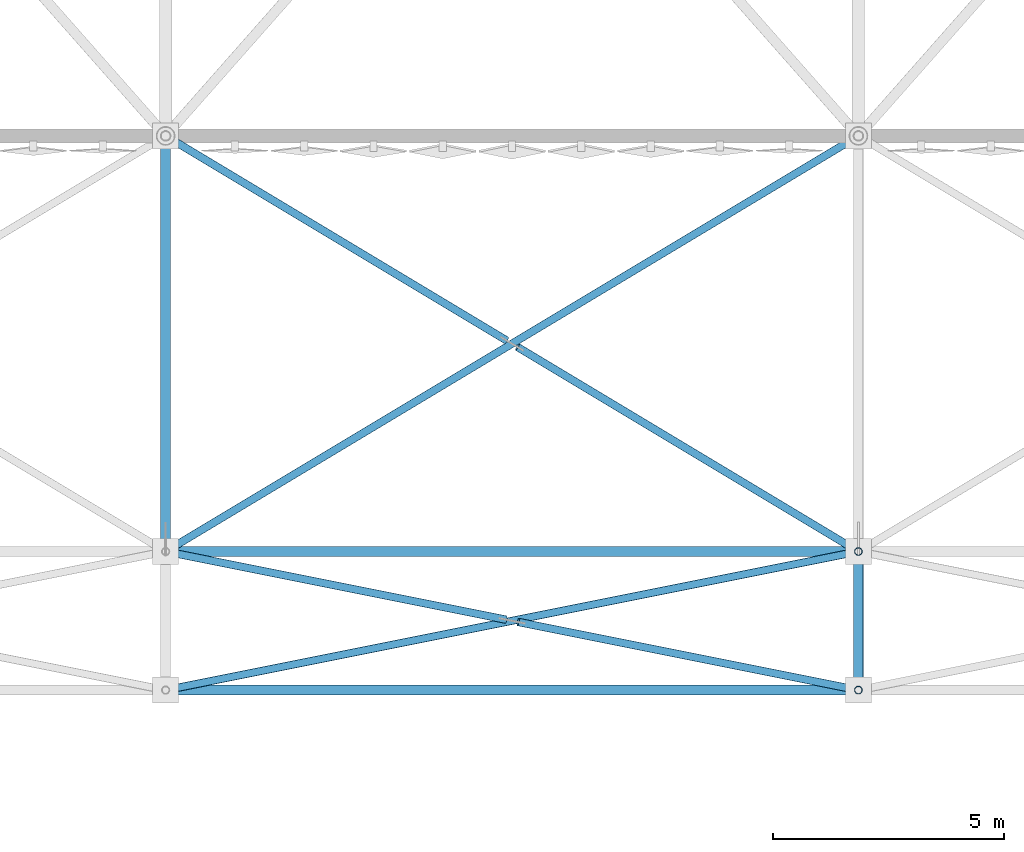
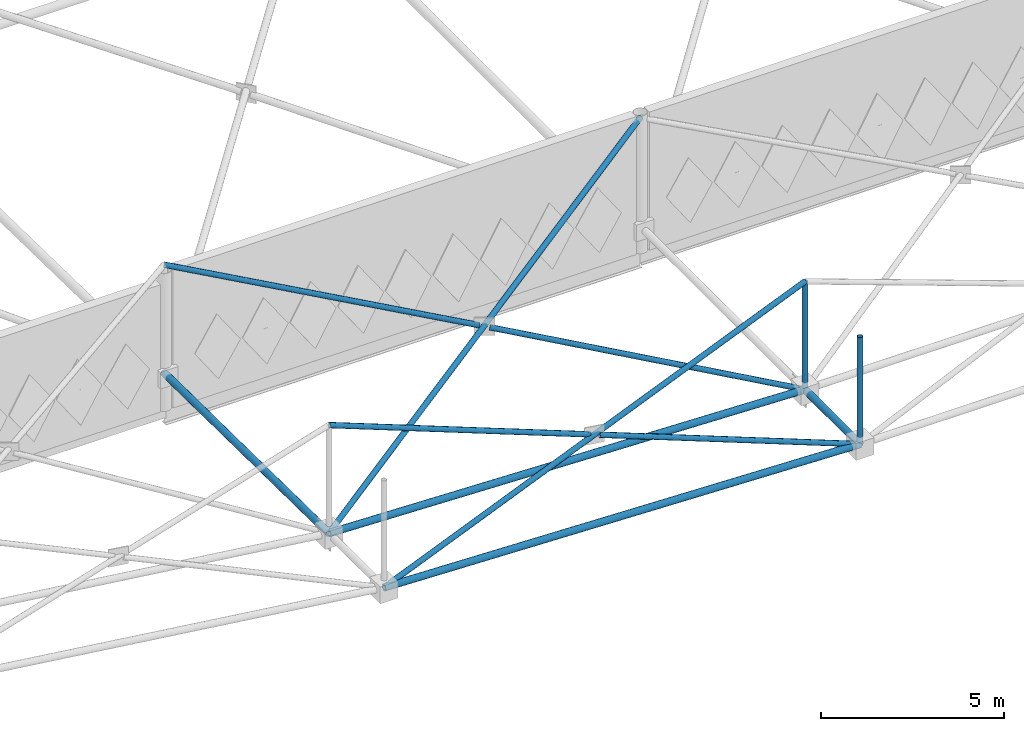
# One storey, part 26 of 224: 12 members.
"""IFC4 building model written with IfcOpenShell, lengths in metres."""

from ifc_helpers import new_model, si_unit, direction, frame, origin, origin_2d, place, context, subcontext, project, spatial, hollow_circle, extrude, material, material_profile, profile_set, type_object, element, save


model = new_model("IFC4")

# Units and contexts
model_context = context("Model", 3, precision=1e-05, world=origin(), true_north=direction((0.0, 1.0)))
body_context = subcontext(model_context, "Body", "Model", "MODEL_VIEW")
ifc_project = project(units=[si_unit("LENGTHUNIT", "METRE"), si_unit("AREAUNIT", "SQUARE_METRE"), si_unit("VOLUMEUNIT", "CUBIC_METRE"), si_unit("PLANEANGLEUNIT", "RADIAN"), si_unit("MASSUNIT", "GRAM", prefix="KILO")], contexts=[model_context])

# Site, building, storey
site_placement = place(None, origin())
site = spatial("IfcSite", under=ifc_project, at=site_placement, CompositionType="ELEMENT")
building_placement = place(site_placement, origin())
building = spatial("IfcBuilding", under=site, at=building_placement, Name="Qamarlyn Nura Convention Centre", CompositionType="ELEMENT")
storey_placement = place(building_placement, frame((0.0, 0.0, 10.800048828125)))
storey = spatial("IfcBuildingStorey", under=building, at=storey_placement, Name="L02", CompositionType="ELEMENT", Elevation=10.800048828125)

# Members
ifc_material = material(Name="Pearl-white PVDF steel ASTM A500 Grade C", Category="steel")
ifc_material_profile_1 = material_profile(ifc_material, hollow_circle(Radius=0.109619140625, WallThickness=0.010009765625, at=origin_2d()), Name="CHS219.1X10")
ifc_profile_set_1 = profile_set([ifc_material_profile_1], Name="Pearl-white PVDF steel ASTM A500 Grade C")
member_type_1 = type_object("IfcMemberType", Name="SF-BC-EAVE", PredefinedType="CHORD", material=ifc_profile_set_1)
member_1_placement = place(storey_placement, frame((30.0, 6.0, 1.274169921875), z_axis=(0.999500838855, 0.0, -0.031592295395), x_axis=(0.0, 1.0, 0.0)))
element("IfcMember", 1, at=member_1_placement, inside=storey, type_object=member_type_1, Name="ROOF TRUSS space frame bottom chord X4-0", PredefinedType="CHORD", context=body_context, shape_type="SweptSolid", body=[
    extrude(hollow_circle(Radius=0.109619140625, WallThickness=0.010009765625, at=origin_2d()), origin(), (0.0, 0.0, 1.0), 15.007568359375),
])
member_2_placement = place(storey_placement, frame((30.0, 9.0, 1.265625), z_axis=(0.999518656268, 0.0, -0.031023471314), x_axis=(0.0, 1.0, 0.0)))
element("IfcMember", 2, at=member_2_placement, inside=storey, type_object=member_type_1, Name="ROOF TRUSS space frame bottom chord X4-1", PredefinedType="CHORD", context=body_context, shape_type="SweptSolid", body=[
    extrude(hollow_circle(Radius=0.109619140625, WallThickness=0.010009765625, at=origin_2d()), origin(), (0.0, 0.0, 1.0), 15.00732421875),
])
member_3_placement = place(storey_placement, frame((30.0, 9.0, 1.265625), z_axis=(0.0, 0.999918388054, -0.012775649978), x_axis=(-1.0, 0.0, 0.0)))
element("IfcMember", 3, at=member_3_placement, inside=storey, type_object=member_type_1, Name="ROOF TRUSS space frame bottom chord Y4-1", PredefinedType="CHORD", context=body_context, shape_type="SweptSolid", body=[
    extrude(hollow_circle(Radius=0.109619140625, WallThickness=0.010009765625, at=origin_2d()), origin(), (0.0, 0.0, 1.0), 9.000732421875),
])
member_4_placement = place(storey_placement, frame((45.0, 6.0, 0.800048828125), z_axis=(0.0, 1.0, 0.0), x_axis=(-1.0, 0.0, 0.0)))
element("IfcMember", 4, at=member_4_placement, inside=storey, type_object=member_type_1, Name="ROOF TRUSS space frame bottom chord Y5-0", PredefinedType="CHORD", context=body_context, shape_type="SweptSolid", body=[
    extrude(hollow_circle(Radius=0.109619140625, WallThickness=0.010009765625, at=origin_2d()), origin(), (0.0, 0.0, 1.0), 3.0),
])
ifc_material_profile_2 = material_profile(ifc_material, hollow_circle(Radius=0.084228515625, WallThickness=0.008056640625, at=origin_2d()), Name="CHS168.3X8")
ifc_profile_set_2 = profile_set([ifc_material_profile_2], Name="Pearl-white PVDF steel ASTM A500 Grade C")
member_type_2 = type_object("IfcMemberType", Name="SF-WEB-STD", PredefinedType="BRACE", material=ifc_profile_set_2)
member_5_placement = place(storey_placement, frame((30.0, 6.0, 1.274169921875), z_axis=(0.960729108729, 0.192145821746, 0.200198808253), x_axis=(-0.196116135138, 0.980580675691, 0.0)))
element("IfcMember", 5, at=member_5_placement, inside=storey, type_object=member_type_2, Name="ROOF TRUSS space frame diagonal A 4-0", PredefinedType="BRACE", context=body_context, shape_type="SweptSolid", body=[
    extrude(hollow_circle(Radius=0.084228515625, WallThickness=0.008056640625, at=origin_2d()), origin(), (0.0, 0.0, 1.0), 15.613037109375),
])
member_6_placement = place(storey_placement, frame((45.0, 6.0, 0.800048828125), z_axis=(-0.947620190587, 0.189517757496, 0.257097246167), x_axis=(-0.196109886014, -0.980581925495, 0.0)))
element("IfcMember", 6, at=member_6_placement, inside=storey, type_object=member_type_2, Name="ROOF TRUSS space frame split diagonal B1 4-0", PredefinedType="BRACE", context=body_context, shape_type="SweptSolid", body=[
    extrude(hollow_circle(Radius=0.084228515625, WallThickness=0.008056640625, at=origin_2d()), origin(), (0.0, 0.0, 1.0), 7.7744140625),
])
member_7_placement = place(storey_placement, frame((37.3671875, 7.526611328125, 2.870849609375), z_axis=(-0.947742506748, 0.189542219917, 0.256627916975), x_axis=(-0.196109886014, -0.980581925495, 0.0)))
element("IfcMember", 7, at=member_7_placement, inside=storey, type_object=member_type_2, Name="ROOF TRUSS space frame split diagonal B2 4-0", PredefinedType="BRACE", context=body_context, shape_type="SweptSolid", body=[
    extrude(hollow_circle(Radius=0.084228515625, WallThickness=0.008056640625, at=origin_2d()), origin(), (0.0, 0.0, 1.0), 7.7734375),
])
member_8_placement = place(storey_placement, frame((30.0, 9.0, 1.265625), z_axis=(0.844051418886, 0.506430851332, 0.176366082612), x_axis=(-0.514495755428, 0.857492925713, 0.0)))
element("IfcMember", 8, at=member_8_placement, inside=storey, type_object=member_type_2, Name="ROOF TRUSS space frame diagonal A 4-1", PredefinedType="BRACE", context=body_context, shape_type="SweptSolid", body=[
    extrude(hollow_circle(Radius=0.084228515625, WallThickness=0.008056640625, at=origin_2d()), origin(), (0.0, 0.0, 1.0), 17.771484375),
])
member_9_placement = place(storey_placement, frame((45.0, 9.0, 0.800048828125), z_axis=(-0.835824515968, 0.501494709581, 0.223384052184), x_axis=(-0.514495755428, -0.857492925713, 0.0)))
element("IfcMember", 9, at=member_9_placement, inside=storey, type_object=member_type_2, Name="ROOF TRUSS space frame split diagonal B1 4-1", PredefinedType="BRACE", context=body_context, shape_type="SweptSolid", body=[
    extrude(hollow_circle(Radius=0.084228515625, WallThickness=0.008056640625, at=origin_2d()), origin(), (0.0, 0.0, 1.0), 8.8330078125),
])
member_10_placement = place(storey_placement, frame((37.3828125, 13.5703125, 2.8349609375), z_axis=(-0.837027227859, 0.502216336715, 0.217173135905), x_axis=(-0.514495755428, -0.857492925713, 0.0)))
element("IfcMember", 10, at=member_10_placement, inside=storey, type_object=member_type_2, Name="ROOF TRUSS space frame split diagonal B2 4-1", PredefinedType="BRACE", context=body_context, shape_type="SweptSolid", body=[
    extrude(hollow_circle(Radius=0.084228515625, WallThickness=0.008056640625, at=origin_2d()), origin(), (0.0, 0.0, 1.0), 8.8203125),
])
for number, where, z_axis, x_axis, name in (
    (11, (45.0, 6.0, 0.800048828125), (0.0, 0.0, 1.0), (1.0, 0.0, 0.0), "ROOF TRUSS space frame vertical 5-0"),
    (12, (45.0, 9.0, 0.800048828125), (0.0, 0.0, 1.0), (1.0, 0.0, 0.0), "ROOF TRUSS space frame vertical 5-1"),
):
    element("IfcMember", number, at=place(storey_placement, frame(where, z_axis=z_axis, x_axis=x_axis)), inside=storey, type_object=member_type_2, Name=name, PredefinedType="BRACE", context=body_context, shape_type="SweptSolid", body=[
        extrude(hollow_circle(Radius=0.084228515625, WallThickness=0.008056640625, at=origin_2d()), origin(), (0.0, 0.0, 1.0), 3.599853515625),
    ])

save(model, "model.ifc")
